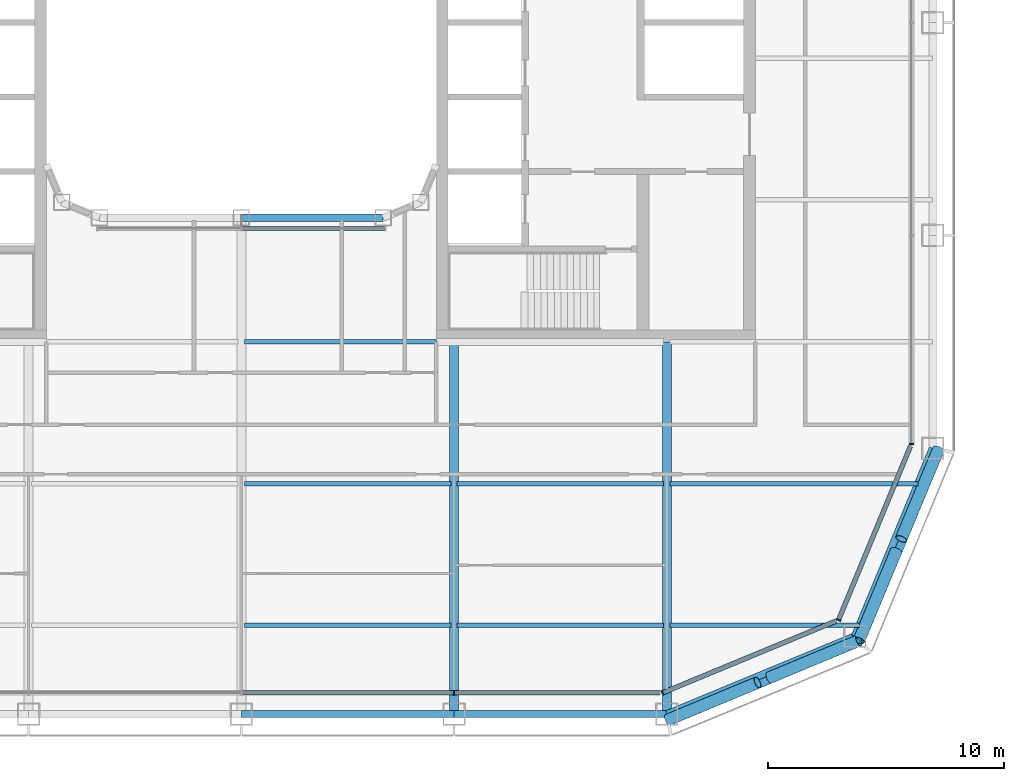
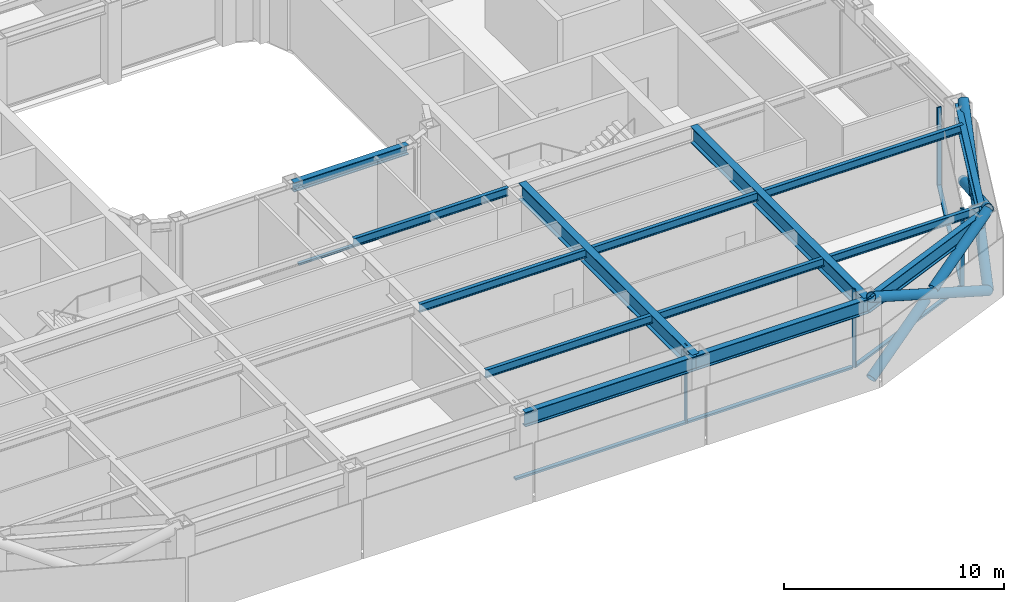
# One storey, part 4 of 24: 15 members, 14 beams, 5 elements without a shape of their own.
"""IFC4 building model written with IfcOpenShell, lengths in metres."""

from ifc_helpers import new_model, si_unit, direction, frame, origin, origin_2d, place, context, subcontext, project, spatial, rectangle, hollow_circle, i_section, extrude, material, layer, layer_set, material_profile, profile_set, type_object, element, aggregate, save


model = new_model("IFC4")

# Units and contexts
model_context = context("Model", 3, precision=1e-05, world=origin(), true_north=direction((0.0, 1.0)))
body_context = subcontext(model_context, "Body", "Model", "MODEL_VIEW")
ifc_project = project(units=[si_unit("LENGTHUNIT", "METRE"), si_unit("AREAUNIT", "SQUARE_METRE"), si_unit("VOLUMEUNIT", "CUBIC_METRE"), si_unit("PLANEANGLEUNIT", "RADIAN"), si_unit("MASSUNIT", "GRAM", prefix="KILO")], contexts=[model_context])

# Site, building, storey
site_placement = place(None, origin())
site = spatial("IfcSite", under=ifc_project, at=site_placement, CompositionType="ELEMENT")
building_placement = place(site_placement, origin())
building = spatial("IfcBuilding", under=site, at=building_placement, Name="Siwar Civic Tower", CompositionType="ELEMENT")
storey_placement = place(building_placement, frame((0.0, 0.0, 113.699951171875)))
storey = spatial("IfcBuildingStorey", under=building, at=storey_placement, Name="L24", CompositionType="ELEMENT", Elevation=113.699951171875)

# Curtain wall, member
ifc_material_1 = material(Name="Aluminium and glass", Category="aluminium")
ifc_layer_1 = layer(ifc_material_1, 0.199951171875)
ifc_layer_set_1 = layer_set([ifc_layer_1], Name="Aluminium and glass")
curtain_wall_type_1 = type_object("IfcCurtainWallType", Name="ENV-CW-B", PredefinedType="NOTDEFINED", material=ifc_layer_set_1)
curtain_wall_1_placement = place(storey_placement, origin())
curtain_wall_1 = element("IfcCurtainWall", 1, at=curtain_wall_1_placement, inside=storey, type_object=curtain_wall_type_1, Name="Curtain wall B S", PredefinedType="NOTDEFINED")
ifc_material_2 = material(Name="Aluminium 6063-T6", Category="aluminium")
ifc_material_profile_1 = material_profile(ifc_material_2, rectangle(XDim=0.199951171875, YDim=0.06494140625, at=origin_2d()), Name="AL 200x65")
ifc_profile_set_1 = profile_set([ifc_material_profile_1], Name="Aluminium 6063-T6")
member_type_1 = type_object("IfcMemberType", Name="ENV-MULLION-B", PredefinedType="MULLION", material=ifc_profile_set_1)
member_1_placement = place(storey_placement, frame((9.0, -28.35009765625, 0.0), z_axis=(0.0, 0.0, 1.0), x_axis=(0.0, 1.0, 0.0)))
member_1 = element("IfcMember", 2, at=member_1_placement, type_object=member_type_1, Name="Mullion B S 4", PredefinedType="MULLION", context=body_context, shape_type="SweptSolid", body=[
    extrude(rectangle(XDim=0.199951171875, YDim=0.06494140625, at=origin_2d()), origin(), (0.0, 0.0, 1.0), 4.35009765625),
])

ifc_material_3 = material(Name="Aluminium clad insulated panel", Category="aluminium")
ifc_layer_2 = layer(ifc_material_3, 0.199951171875)
ifc_layer_set_2 = layer_set([ifc_layer_2], Name="Aluminium clad insulated panel")
curtain_wall_type_2 = type_object("IfcCurtainWallType", Name="ENV-CW-BX", PredefinedType="NOTDEFINED", material=ifc_layer_set_2)
curtain_wall_2_placement = place(storey_placement, origin())
curtain_wall_2 = element("IfcCurtainWall", 3, at=curtain_wall_2_placement, inside=storey, type_object=curtain_wall_type_2, Name="Curtain wall B SE1", PredefinedType="NOTDEFINED")
member_2_placement = place(storey_placement, frame((17.821044921875, -28.35009765625, 0.0), z_axis=(0.0, 0.0, 1.0), x_axis=(-0.382683432365, 0.923879532511, 0.0)))
member_2 = element("IfcMember", 4, at=member_2_placement, type_object=member_type_1, Name="Mullion B SE1 1", PredefinedType="MULLION", context=body_context, shape_type="SweptSolid", body=[
    extrude(rectangle(XDim=0.199951171875, YDim=0.06494140625, at=origin_2d()), origin(), (0.0, 0.0, 1.0), 4.35009765625),
])

curtain_wall_3_placement = place(storey_placement, origin())
curtain_wall_3 = element("IfcCurtainWall", 5, at=curtain_wall_3_placement, inside=storey, type_object=curtain_wall_type_2, Name="Curtain wall B SE2", PredefinedType="NOTDEFINED")
member_3_placement = place(storey_placement, frame((25.26611328125, -25.26611328125, 0.0), z_axis=(0.0, 0.0, 1.0), x_axis=(-0.923879532511, 0.382683432365, 0.0)))
member_3 = element("IfcMember", 6, at=member_3_placement, type_object=member_type_1, Name="Mullion B SE2 1", PredefinedType="MULLION", context=body_context, shape_type="SweptSolid", body=[
    extrude(rectangle(XDim=0.199951171875, YDim=0.06494140625, at=origin_2d()), origin(), (0.0, 0.0, 1.0), 4.35009765625),
])

curtain_wall_4_placement = place(storey_placement, origin())
curtain_wall_4 = element("IfcCurtainWall", 7, at=curtain_wall_4_placement, inside=storey, type_object=curtain_wall_type_1, Name="Curtain wall B E", PredefinedType="NOTDEFINED")
member_4_placement = place(storey_placement, frame((28.35009765625, -17.821044921875, 0.0), z_axis=(0.0, 0.0, 1.0), x_axis=(-1.0, 0.0, 0.0)))
member_4 = element("IfcMember", 8, at=member_4_placement, type_object=member_type_1, Name="Mullion B E 1", PredefinedType="MULLION", context=body_context, shape_type="SweptSolid", body=[
    extrude(rectangle(XDim=0.199951171875, YDim=0.06494140625, at=origin_2d()), origin(), (0.0, 0.0, 1.0), 4.35009765625),
])
aggregate(curtain_wall_4, [member_4])

# Member
ifc_material_4 = material(Name="Aluminium 6063-T6", Category="aluminium")
ifc_material_profile_2 = material_profile(ifc_material_4, rectangle(XDim=0.199951171875, YDim=0.110107421875, at=origin_2d()), Name="AL 200x110")
ifc_profile_set_2 = profile_set([ifc_material_profile_2], Name="Aluminium 6063-T6")
member_type_2 = type_object("IfcMemberType", Name="ENV-TRANSOM-B", PredefinedType="USERDEFINED", material=ifc_profile_set_2)
member_5_placement = place(storey_placement, frame((0.032470703125, -28.35009765625, 0.054931640625), z_axis=(1.0, 0.0, 0.0), x_axis=(0.0, 1.0, 0.0)))
member_5 = element("IfcMember", 9, at=member_5_placement, type_object=member_type_2, Name="Transom B S 3", ObjectType="TRANSOM", PredefinedType="USERDEFINED", context=body_context, shape_type="SweptSolid", body=[
    extrude(rectangle(XDim=0.199951171875, YDim=0.110107421875, at=origin_2d()), origin(), (0.0, 0.0, 1.0), 8.93505859375),
])

member_6_placement = place(storey_placement, frame((9.032470703125, -28.35009765625, 0.054931640625), z_axis=(1.0, 0.0, 0.0), x_axis=(0.0, 1.0, 0.0)))
member_6 = element("IfcMember", 10, at=member_6_placement, type_object=member_type_2, Name="Transom B S 4", ObjectType="TRANSOM", PredefinedType="USERDEFINED", context=body_context, shape_type="SweptSolid", body=[
    extrude(rectangle(XDim=0.199951171875, YDim=0.110107421875, at=origin_2d()), origin(), (0.0, 0.0, 1.0), 8.6748046875),
])

aggregate(curtain_wall_1, [member_1, member_5, member_6])

member_7_placement = place(storey_placement, frame((17.85107421875, -28.337646484375, 0.054931640625), z_axis=(0.92387279587, 0.382699695651, 0.0), x_axis=(-0.382699695651, 0.92387279587, 0.0)))
member_7 = element("IfcMember", 11, at=member_7_placement, type_object=member_type_2, Name="Transom B SE1 1", ObjectType="TRANSOM", PredefinedType="USERDEFINED", context=body_context, shape_type="SweptSolid", body=[
    extrude(rectangle(XDim=0.199951171875, YDim=0.110107421875, at=origin_2d()), origin(), (0.0, 0.0, 1.0), 7.912353515625),
])

aggregate(curtain_wall_2, [member_2, member_7])

member_8_placement = place(storey_placement, frame((25.278564453125, -25.236083984375, 0.054931640625), z_axis=(0.382673358825, 0.923883705044, 0.0), x_axis=(-0.923883705044, 0.382673358825, 0.0)))
member_8 = element("IfcMember", 12, at=member_8_placement, type_object=member_type_2, Name="Transom B SE2 1", ObjectType="TRANSOM", PredefinedType="USERDEFINED", context=body_context, shape_type="SweptSolid", body=[
    extrude(rectangle(XDim=0.199951171875, YDim=0.110107421875, at=origin_2d()), origin(), (0.0, 0.0, 1.0), 7.912353515625),
])

aggregate(curtain_wall_3, [member_3, member_8])

# Curtain wall, member
ifc_material_5 = material(Name="Aluminium and glass", Category="aluminium")
ifc_layer_3 = layer(ifc_material_5, 0.179931640625)
ifc_layer_set_3 = layer_set([ifc_layer_3], Name="Aluminium and glass")
curtain_wall_type_3 = type_object("IfcCurtainWallType", Name="ENV-CW-W", PredefinedType="NOTDEFINED", material=ifc_layer_set_3)
curtain_wall_5_placement = place(storey_placement, origin())
curtain_wall_5 = element("IfcCurtainWall", 13, at=curtain_wall_5_placement, inside=storey, type_object=curtain_wall_type_3, Name="Curtain wall W WS", PredefinedType="NOTDEFINED")
ifc_material_6 = material(Name="Aluminium 6063-T6", Category="aluminium")
ifc_material_profile_3 = material_profile(ifc_material_6, rectangle(XDim=0.179931640625, YDim=0.10009765625, at=origin_2d()), Name="AL 180x100")
ifc_profile_set_3 = profile_set([ifc_material_profile_3], Name="Aluminium 6063-T6")
member_type_3 = type_object("IfcMemberType", Name="ENV-TRANSOM-W", PredefinedType="USERDEFINED", material=ifc_profile_set_3)
member_9_placement = place(storey_placement, frame((0.030029296875, -8.7099609375, 0.050048828125), z_axis=(1.0, 0.0, 0.0), x_axis=(0.0, 1.0, 0.0)))
member_9 = element("IfcMember", 14, at=member_9_placement, type_object=member_type_3, Name="Transom W WS 2", ObjectType="TRANSOM", PredefinedType="USERDEFINED", context=body_context, shape_type="SweptSolid", body=[
    extrude(rectangle(XDim=0.179931640625, YDim=0.10009765625, at=origin_2d()), origin(), (0.0, 0.0, 1.0), 6.031494140625),
])
aggregate(curtain_wall_5, [member_9])

# Members
ifc_material_7 = material(Name="Steel S355", Category="steel")
ifc_material_profile_4 = material_profile(ifc_material_7, hollow_circle(Radius=0.25390625, WallThickness=0.02490234375, at=origin_2d()), Name="CHS508x25")
ifc_profile_set_4 = profile_set([ifc_material_profile_4], Name="Steel S355")
member_type_4 = type_object("IfcMemberType", Name="STR-BR-CHS508x25", PredefinedType="BRACE", material=ifc_profile_set_4)
member_10_placement = place(storey_placement, frame((26.1318359375, -26.1318359375, 0.0), z_axis=(0.341671493852, 0.821142553604, 0.457149315816), x_axis=(-0.923264922524, 0.384163874976, 0.0)))
element("IfcMember", 15, at=member_10_placement, inside=storey, type_object=member_type_4, Name="L24/brc/BSE1-3-0-1", PredefinedType="BRACE", context=body_context, shape_type="SweptSolid", body=[
    extrude(hollow_circle(Radius=0.25390625, WallThickness=0.02490234375, at=origin_2d()), origin(), (0.0, 0.0, 1.0), 9.843505859375),
])
for number, where, z_axis, x_axis, name in (
    (16, (29.4951171875, -18.048828125, 0.0), (-0.341677318012, -0.821126041429, 0.457174621391), (0.923259859753, -0.384176042158, 0.0), "L24/brc/BSE1-3-0-2"),
    (17, (27.70849609375, -22.342529296875, 2.390625), (-0.341670737976, -0.821163134736, 0.457112910516), (0.923268638995, -0.384154943021, 0.0), "L24/brc/BSE1-3-0-3"),
):
    element("IfcMember", number, at=place(storey_placement, frame(where, z_axis=z_axis, x_axis=x_axis)), inside=storey, type_object=member_type_4, Name=name, PredefinedType="BRACE", context=body_context, shape_type="SweptSolid", body=[
        extrude(hollow_circle(Radius=0.25390625, WallThickness=0.02490234375, at=origin_2d()), origin(), (0.0, 0.0, 1.0), 4.614501953125),
    ])
member_11_placement = place(storey_placement, frame((26.1318359375, -26.1318359375, 0.0), z_axis=(-0.821142553604, -0.341671493852, 0.457149315816), x_axis=(0.384163874976, -0.923264922524, 0.0)))
element("IfcMember", 18, at=member_11_placement, inside=storey, type_object=member_type_4, Name="L24/brc/BSE1-3-0-0", PredefinedType="BRACE", context=body_context, shape_type="SweptSolid", body=[
    extrude(hollow_circle(Radius=0.25390625, WallThickness=0.02490234375, at=origin_2d()), origin(), (0.0, 0.0, 1.0), 9.843505859375),
])
for number, where, z_axis, x_axis, name in (
    (19, (18.048828125, -29.4951171875, 0.0), (0.821126041429, 0.341677318012, 0.457174621391), (-0.384176042158, 0.923259859753, 0.0), "L24/brc/BSE1-3-0-4"),
    (20, (22.342529296875, -27.70849609375, 2.390625), (0.821163134736, 0.341670737976, 0.457112910516), (-0.384154943021, 0.923268638995, 0.0), "L24/brc/BSE1-3-0-5"),
):
    element("IfcMember", number, at=place(storey_placement, frame(where, z_axis=z_axis, x_axis=x_axis)), inside=storey, type_object=member_type_4, Name=name, PredefinedType="BRACE", context=body_context, shape_type="SweptSolid", body=[
        extrude(hollow_circle(Radius=0.25390625, WallThickness=0.02490234375, at=origin_2d()), origin(), (0.0, 0.0, 1.0), 4.614501953125),
    ])

# Beams
ifc_material_8 = material(Name="Steel S355", Category="steel")
ifc_material_profile_5 = material_profile(ifc_material_8, i_section(OverallWidth=0.18994140625, OverallDepth=0.449951171875, WebThickness=0.009521484375, FlangeThickness=0.0146484375, FilletRadius=0.02099609375, at=origin_2d()), Name="IPE450")
ifc_profile_set_5 = profile_set([ifc_material_profile_5], Name="Steel S355")
beam_type_1 = type_object("IfcBeamType", Name="STR-FB-IPE450", PredefinedType="JOIST", material=ifc_profile_set_5)
for number, where, z_axis, x_axis, name in (
    (21, (0.1298828125, -25.5, 4.125), (1.0, 0.0, 0.0), (0.0, 1.0, 0.0), "L24/bm/F004"),
    (22, (9.1298828125, -25.5, 4.125), (1.0, 0.0, 0.0), (0.0, 1.0, 0.0), "L24/bm/F005"),
):
    element("IfcBeam", number, at=place(storey_placement, frame(where, z_axis=z_axis, x_axis=x_axis)), inside=storey, type_object=beam_type_1, Name=name, PredefinedType="JOIST", context=body_context, shape_type="SweptSolid", body=[
        extrude(i_section(OverallWidth=0.18994140625, OverallDepth=0.449951171875, WebThickness=0.009521484375, FlangeThickness=0.0146484375, FilletRadius=0.02099609375, at=origin_2d()), origin(), (0.0, 0.0, 1.0), 8.740234375),
    ])
beam_1_placement = place(storey_placement, frame((18.1298828125, -25.5, 4.125), z_axis=(1.0, 0.0, 0.0), x_axis=(0.0, 1.0, 0.0)))
element("IfcBeam", 23, at=beam_1_placement, inside=storey, type_object=beam_type_1, Name="L24/bm/F006", PredefinedType="JOIST", context=body_context, shape_type="SweptSolid", body=[
    extrude(i_section(OverallWidth=0.18994140625, OverallDepth=0.449951171875, WebThickness=0.009521484375, FlangeThickness=0.0146484375, FilletRadius=0.02099609375, at=origin_2d()), origin(), (0.0, 0.0, 1.0), 8.013427734375),
])
for number, where, z_axis, x_axis, name in (
    (24, (0.1298828125, -19.5, 4.125), (1.0, 0.0, 0.0), (0.0, 1.0, 0.0), "L24/bm/F010"),
    (25, (9.1298828125, -19.5, 4.125), (1.0, 0.0, 0.0), (0.0, 1.0, 0.0), "L24/bm/F011"),
):
    element("IfcBeam", number, at=place(storey_placement, frame(where, z_axis=z_axis, x_axis=x_axis)), inside=storey, type_object=beam_type_1, Name=name, PredefinedType="JOIST", context=body_context, shape_type="SweptSolid", body=[
        extrude(i_section(OverallWidth=0.18994140625, OverallDepth=0.449951171875, WebThickness=0.009521484375, FlangeThickness=0.0146484375, FilletRadius=0.02099609375, at=origin_2d()), origin(), (0.0, 0.0, 1.0), 8.740234375),
    ])
beam_2_placement = place(storey_placement, frame((18.1298828125, -19.5, 4.125), z_axis=(1.0, 0.0, 0.0), x_axis=(0.0, 1.0, 0.0)))
element("IfcBeam", 26, at=beam_2_placement, inside=storey, type_object=beam_type_1, Name="L24/bm/F012", PredefinedType="JOIST", context=body_context, shape_type="SweptSolid", body=[
    extrude(i_section(OverallWidth=0.18994140625, OverallDepth=0.449951171875, WebThickness=0.009521484375, FlangeThickness=0.0146484375, FilletRadius=0.02099609375, at=origin_2d()), origin(), (0.0, 0.0, 1.0), 10.498779296875),
])
beam_3_placement = place(storey_placement, frame((0.1298828125, -13.5, 4.125), z_axis=(1.0, 0.0, 0.0), x_axis=(0.0, 1.0, 0.0)))
element("IfcBeam", 27, at=beam_3_placement, inside=storey, type_object=beam_type_1, Name="L24/bm/F017", PredefinedType="JOIST", context=body_context, shape_type="SweptSolid", body=[
    extrude(i_section(OverallWidth=0.18994140625, OverallDepth=0.449951171875, WebThickness=0.009521484375, FlangeThickness=0.0146484375, FilletRadius=0.02099609375, at=origin_2d()), origin(), (0.0, 0.0, 1.0), 8.1201171875),
])
ifc_material_9 = material(Name="Steel S355", Category="steel")
ifc_material_profile_6 = material_profile(ifc_material_9, i_section(OverallWidth=0.3798828125, OverallDepth=0.89990234375, WebThickness=0.01611328125, FlangeThickness=0.035888671875, at=origin_2d()), Name="PG900x380x16x36")
ifc_profile_set_6 = profile_set([ifc_material_profile_6], Name="Steel S355")
beam_type_2 = type_object("IfcBeamType", Name="STR-PG-PG900x380x16x36", PredefinedType="BEAM", material=ifc_profile_set_6)
for number, where, z_axis, x_axis, name in (
    (28, (9.0, -29.25, 3.900146484375), (0.0, 1.0, 0.0), (-1.0, 0.0, 0.0), "L24/bm/G07"),
    (29, (18.0, -29.25, 3.900146484375), (0.0, 1.0, 0.0), (-1.0, 0.0, 0.0), "L24/bm/G09"),
):
    element("IfcBeam", number, at=place(storey_placement, frame(where, z_axis=z_axis, x_axis=x_axis)), inside=storey, type_object=beam_type_2, Name=name, PredefinedType="BEAM", context=body_context, shape_type="SweptSolid", body=[
        extrude(i_section(OverallWidth=0.3798828125, OverallDepth=0.89990234375, WebThickness=0.01611328125, FlangeThickness=0.035888671875, at=origin_2d()), origin(), (0.0, 0.0, 1.0), 15.75),
    ])
ifc_material_10 = material(Name="Steel S355", Category="steel")
ifc_material_profile_7 = material_profile(ifc_material_10, i_section(OverallWidth=0.305908203125, OverallDepth=0.52392578125, WebThickness=0.02099609375, FlangeThickness=0.0400390625, FilletRadius=0.027099609375, at=origin_2d()), Name="HEM500")
ifc_profile_set_7 = profile_set([ifc_material_profile_7], Name="Steel S355")
beam_type_3 = type_object("IfcBeamType", Name="STR-RB-HEM500", PredefinedType="BEAM", material=ifc_profile_set_7)
beam_4_placement = place(storey_placement, frame((0.0, -8.25, 4.088134765625), z_axis=(1.0, 0.0, 0.0), x_axis=(0.0, 1.0, 0.0)))
element("IfcBeam", 30, at=beam_4_placement, inside=storey, type_object=beam_type_3, Name="L24/bm/RS2", PredefinedType="BEAM", context=body_context, shape_type="SweptSolid", body=[
    extrude(i_section(OverallWidth=0.305908203125, OverallDepth=0.52392578125, WebThickness=0.02099609375, FlangeThickness=0.0400390625, FilletRadius=0.027099609375, at=origin_2d()), origin(), (0.0, 0.0, 1.0), 6.0),
])
ifc_material_11 = material(Name="Steel S355", Category="steel")
ifc_material_profile_8 = material_profile(ifc_material_11, i_section(OverallWidth=0.300048828125, OverallDepth=0.800048828125, WebThickness=0.017578125, FlangeThickness=0.032958984375, FilletRadius=0.030029296875, at=origin_2d()), Name="HEB800")
ifc_profile_set_8 = profile_set([ifc_material_profile_8], Name="Steel S355")
beam_type_4 = type_object("IfcBeamType", Name="STR-SB-HEB800", PredefinedType="BEAM", material=ifc_profile_set_8)
for number, where, z_axis, x_axis, name in (
    (31, (0.0, -29.25, 3.949951171875), (1.0, 0.0, 0.0), (0.0, 1.0, 0.0), "L24/bm/SS-2"),
    (32, (9.0, -29.25, 3.949951171875), (1.0, 0.0, 0.0), (0.0, 1.0, 0.0), "L24/bm/SS-3"),
):
    element("IfcBeam", number, at=place(storey_placement, frame(where, z_axis=z_axis, x_axis=x_axis)), inside=storey, type_object=beam_type_4, Name=name, PredefinedType="BEAM", context=body_context, shape_type="SweptSolid", body=[
        extrude(i_section(OverallWidth=0.300048828125, OverallDepth=0.800048828125, WebThickness=0.017578125, FlangeThickness=0.032958984375, FilletRadius=0.030029296875, at=origin_2d()), origin(), (0.0, 0.0, 1.0), 9.0),
    ])
for number, where, z_axis, x_axis, name in (
    (33, (18.0, -29.25, 3.949951171875), (0.923872720536, 0.382699877515, 0.0), (-0.382699877515, 0.923872720536, 0.0), "L24/bm/SSE1-0"),
    (34, (25.954833984375, -25.954833984375, 3.949951171875), (0.382699877515, 0.923872720536, 0.0), (-0.923872720536, 0.382699877515, 0.0), "L24/bm/SSE2-0"),
):
    element("IfcBeam", number, at=place(storey_placement, frame(where, z_axis=z_axis, x_axis=x_axis)), inside=storey, type_object=beam_type_4, Name=name, PredefinedType="BEAM", context=body_context, shape_type="SweptSolid", body=[
        extrude(i_section(OverallWidth=0.300048828125, OverallDepth=0.800048828125, WebThickness=0.017578125, FlangeThickness=0.032958984375, FilletRadius=0.030029296875, at=origin_2d()), origin(), (0.0, 0.0, 1.0), 8.6103515625),
    ])

save(model, "model.ifc")
